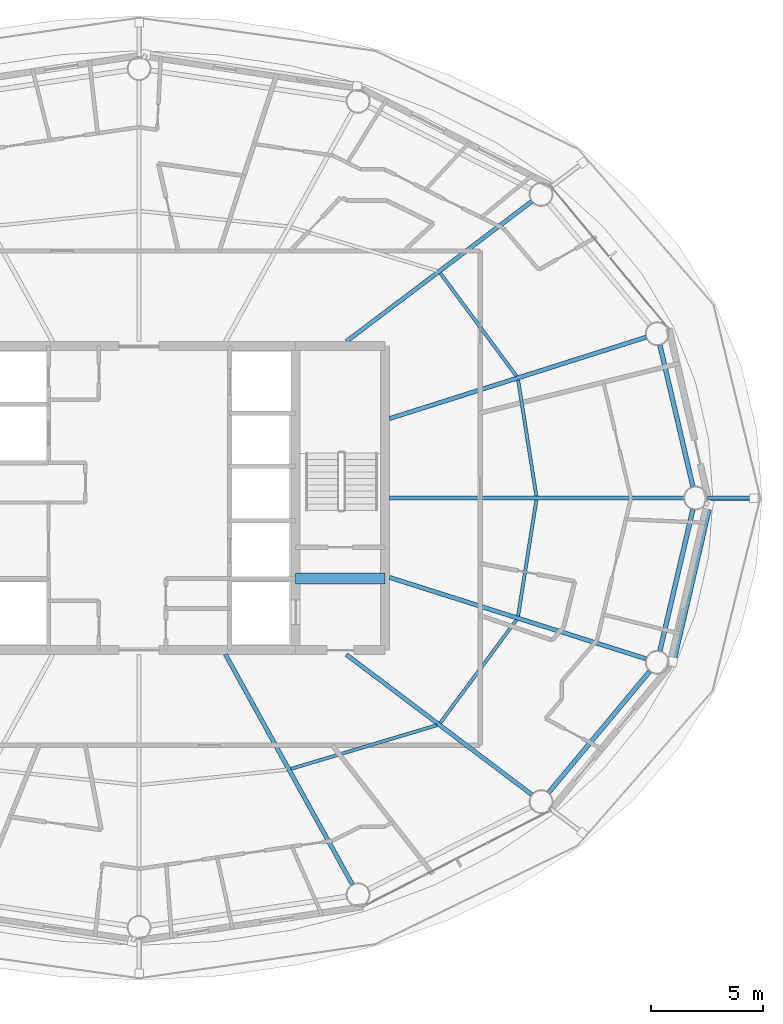
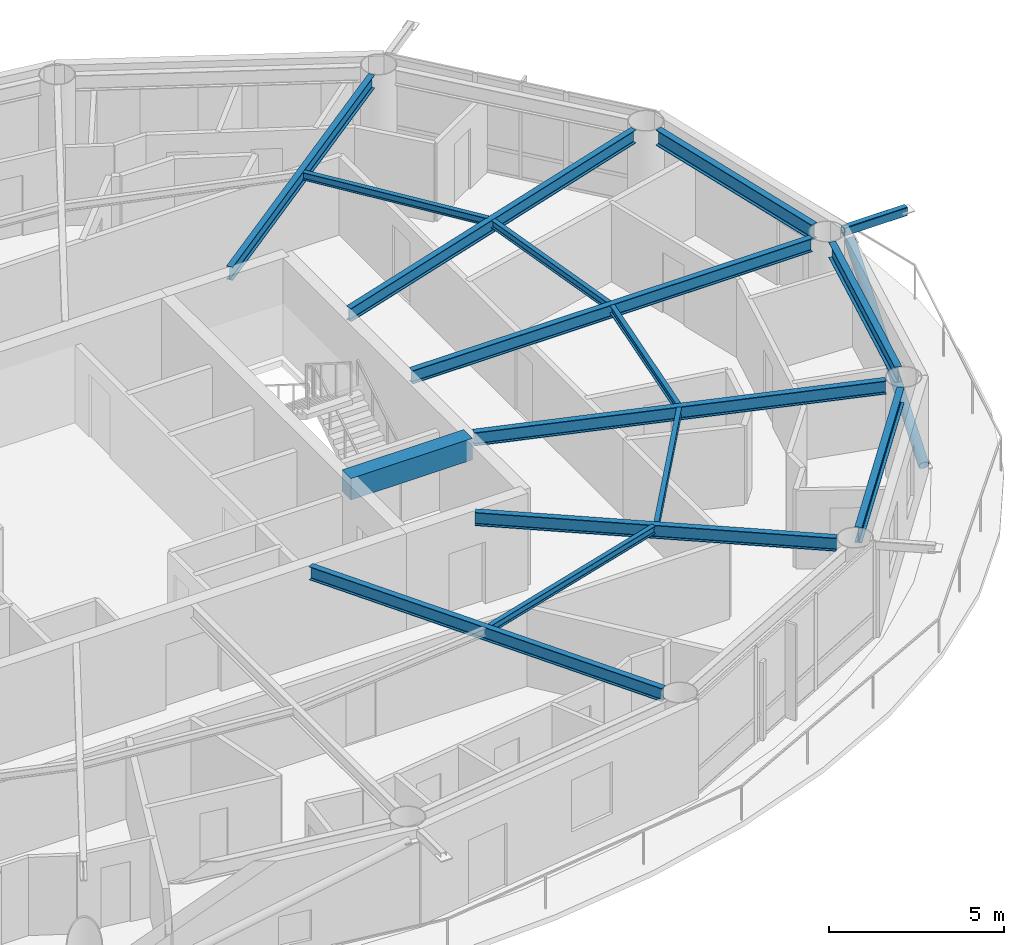
# One storey, part 6 of 23: 15 beams, 2 members.
"""IFC4 building model written with IfcOpenShell, lengths in metres."""

from ifc_helpers import new_model, si_unit, direction, frame, origin, origin_2d, place, context, subcontext, project, spatial, rectangle, hollow_rectangle, hollow_circle, i_section, extrude, material, material_profile, profile_set, type_object, element, save


model = new_model("IFC4")

# Units and contexts
model_context = context("Model", 3, precision=1e-05, world=origin(), true_north=direction((0.0, 1.0)))
body_context = subcontext(model_context, "Body", "Model", "MODEL_VIEW")
ifc_project = project(units=[si_unit("LENGTHUNIT", "METRE"), si_unit("AREAUNIT", "SQUARE_METRE"), si_unit("VOLUMEUNIT", "CUBIC_METRE"), si_unit("PLANEANGLEUNIT", "RADIAN"), si_unit("MASSUNIT", "GRAM", prefix="KILO")], contexts=[model_context])

# Site, building, storey
site_placement = place(None, origin())
site = spatial("IfcSite", under=ifc_project, at=site_placement, CompositionType="ELEMENT")
building_placement = place(site_placement, origin())
building = spatial("IfcBuilding", under=site, at=building_placement, Name="Sarneth Arch Tower", CompositionType="ELEMENT")
storey_placement = place(building_placement, frame((0.0, 0.0, 242.39990234375)))
storey = spatial("IfcBuildingStorey", under=building, at=storey_placement, Name="L62", CompositionType="ELEMENT", Elevation=242.39990234375)

# Beams
ifc_material_1 = material(Name="Steel S355", Category="steel")
ifc_material_profile_1 = material_profile(ifc_material_1, i_section(OverallWidth=0.14794921875, OverallDepth=0.26611328125, WebThickness=0.007568359375, FlangeThickness=0.012939453125, FilletRadius=0.012939453125, at=origin_2d()), Name="W250x44.8")
ifc_profile_set_1 = profile_set([ifc_material_profile_1], Name="Steel S355")
beam_type_1 = type_object("IfcBeamType", Name="BM-JOIST-250", PredefinedType="JOIST", material=ifc_profile_set_1)
beam_1_placement = place(storey_placement, frame((65.76416015625, 42.0947265625, 3.22705078125), z_axis=(-0.155393595615, 0.987852635995, 0.0), x_axis=(-0.987852635995, -0.155393595615, 0.0)))
element("IfcBeam", 1, at=beam_1_placement, inside=storey, type_object=beam_type_1, Name="L62 Secondary floor joist 01", PredefinedType="JOIST", context=body_context, shape_type="SweptSolid", body=[
    extrude(i_section(OverallWidth=0.14794921875, OverallDepth=0.26611328125, WebThickness=0.007568359375, FlangeThickness=0.012939453125, FilletRadius=0.012939453125, at=origin_2d()), origin(), (0.0, 0.0, 1.0), 5.244384765625),
])
beam_2_placement = place(storey_placement, frame((64.877197265625, 47.447509765625, 3.22705078125), z_axis=(-0.594853468946, 0.803834156081, 0.0), x_axis=(-0.803834156081, -0.594853468946, 0.0)))
element("IfcBeam", 2, at=beam_2_placement, inside=storey, type_object=beam_type_1, Name="L62 Secondary floor joist 02", PredefinedType="JOIST", context=body_context, shape_type="SweptSolid", body=[
    extrude(i_section(OverallWidth=0.14794921875, OverallDepth=0.26611328125, WebThickness=0.007568359375, FlangeThickness=0.012939453125, FilletRadius=0.012939453125, at=origin_2d()), origin(), (0.0, 0.0, 1.0), 5.72900390625),
])
beam_3_placement = place(storey_placement, frame((54.79248046875, 29.88818359375, 3.22705078125), z_axis=(0.957984908347, 0.286818610589, 0.0), x_axis=(-0.286818610589, 0.957984908347, 0.0)))
element("IfcBeam", 3, at=beam_3_placement, inside=storey, type_object=beam_type_1, Name="L62 Secondary floor joist 14", PredefinedType="JOIST", context=body_context, shape_type="SweptSolid", body=[
    extrude(i_section(OverallWidth=0.14794921875, OverallDepth=0.26611328125, WebThickness=0.007568359375, FlangeThickness=0.012939453125, FilletRadius=0.012939453125, at=origin_2d()), origin(), (0.0, 0.0, 1.0), 6.81396484375),
])
beam_4_placement = place(storey_placement, frame((61.46923828125, 31.947265625, 3.22705078125), z_axis=(0.594853468946, 0.803834156081, 0.0), x_axis=(-0.803834156081, 0.594853468946, 0.0)))
element("IfcBeam", 4, at=beam_4_placement, inside=storey, type_object=beam_type_1, Name="L62 Secondary floor joist 15", PredefinedType="JOIST", context=body_context, shape_type="SweptSolid", body=[
    extrude(i_section(OverallWidth=0.14794921875, OverallDepth=0.26611328125, WebThickness=0.007568359375, FlangeThickness=0.012939453125, FilletRadius=0.012939453125, at=origin_2d()), origin(), (0.0, 0.0, 1.0), 5.72900390625),
])
beam_5_placement = place(storey_placement, frame((64.94921875, 36.724609375, 3.22705078125), z_axis=(0.155393595615, 0.987852635995, 0.0), x_axis=(-0.987852635995, 0.155393595615, 0.0)))
element("IfcBeam", 5, at=beam_5_placement, inside=storey, type_object=beam_type_1, Name="L62 Secondary floor joist 16", PredefinedType="JOIST", context=body_context, shape_type="SweptSolid", body=[
    extrude(i_section(OverallWidth=0.14794921875, OverallDepth=0.26611328125, WebThickness=0.007568359375, FlangeThickness=0.012939453125, FilletRadius=0.012939453125, at=origin_2d()), origin(), (0.0, 0.0, 1.0), 5.244384765625),
])
ifc_material_2 = material(Name="Concrete C50/60", Category="concrete")
ifc_material_profile_2 = material_profile(ifc_material_2, rectangle(XDim=0.5, YDim=0.75, at=origin_2d()), Name="RC-500x750")
ifc_profile_set_2 = profile_set([ifc_material_profile_2], Name="Concrete C50/60")
beam_type_2 = type_object("IfcBeamType", Name="BM-LINTEL-RC", PredefinedType="LINTEL", material=ifc_profile_set_2)
beam_6_placement = place(storey_placement, frame((55.0, 38.39990234375, 2.985107421875), z_axis=(1.0, 0.0, 0.0), x_axis=(0.0, 1.0, 0.0)))
element("IfcBeam", 6, at=beam_6_placement, inside=storey, type_object=beam_type_2, Name="L62 Core coupling lintel E", PredefinedType="LINTEL", context=body_context, shape_type="SweptSolid", body=[
    extrude(rectangle(XDim=0.5, YDim=0.75, at=origin_2d()), origin(), (0.0, 0.0, 1.0), 4.0),
])
ifc_material_3 = material(Name="Steel S355", Category="steel")
ifc_material_profile_3 = material_profile(ifc_material_3, i_section(OverallWidth=0.19189453125, OverallDepth=0.462890625, WebThickness=0.010498046875, FlangeThickness=0.017578125, FilletRadius=0.01806640625, at=origin_2d()), Name="W460x89")
ifc_profile_set_3 = profile_set([ifc_material_profile_3], Name="Steel S355")
beam_type_3 = type_object("IfcBeamType", Name="BM-RAD-460B", PredefinedType="BEAM", material=ifc_profile_set_3)
beam_7_placement = place(storey_placement, frame((59.199951171875, 42.0, 3.128662109375), z_axis=(1.0, 0.0, 0.0), x_axis=(0.0, 1.0, 0.0)))
element("IfcBeam", 7, at=beam_7_placement, inside=storey, type_object=beam_type_3, Name="L62 Radial floor girder 01", PredefinedType="BEAM", context=body_context, shape_type="SweptSolid", body=[
    extrude(i_section(OverallWidth=0.19189453125, OverallDepth=0.462890625, WebThickness=0.010498046875, FlangeThickness=0.017578125, FilletRadius=0.01806640625, at=origin_2d()), origin(), (0.0, 0.0, 1.0), 13.158203125),
])
beam_8_placement = place(storey_placement, frame((59.199951171875, 45.5517578125, 3.128662109375), z_axis=(0.953216092177, 0.302289731243, 0.0), x_axis=(-0.302289731243, 0.953216092177, 0.0)))
element("IfcBeam", 8, at=beam_8_placement, inside=storey, type_object=beam_type_3, Name="L62 Radial floor girder 02", PredefinedType="BEAM", context=body_context, shape_type="SweptSolid", body=[
    extrude(i_section(OverallWidth=0.19189453125, OverallDepth=0.462890625, WebThickness=0.010498046875, FlangeThickness=0.017578125, FilletRadius=0.01806640625, at=origin_2d()), origin(), (0.0, 0.0, 1.0), 12.031494140625),
])
beam_9_placement = place(storey_placement, frame((57.26806640625, 49.0, 3.128662109375), z_axis=(0.79797308069, 0.60269309146, 0.0), x_axis=(-0.60269309146, 0.79797308069, 0.0)))
element("IfcBeam", 9, at=beam_9_placement, inside=storey, type_object=beam_type_3, Name="L62 Radial floor girder 03", PredefinedType="BEAM", context=body_context, shape_type="SweptSolid", body=[
    extrude(i_section(OverallWidth=0.19189453125, OverallDepth=0.462890625, WebThickness=0.010498046875, FlangeThickness=0.017578125, FilletRadius=0.01806640625, at=origin_2d()), origin(), (0.0, 0.0, 1.0), 10.38671875),
])
beam_10_placement = place(storey_placement, frame((51.86376953125, 35.0, 3.128662109375), z_axis=(0.483225760768, -0.875495781903, 0.0), x_axis=(0.875495781903, 0.483225760768, 0.0)))
element("IfcBeam", 10, at=beam_10_placement, inside=storey, type_object=beam_type_3, Name="L62 Radial floor girder 14", PredefinedType="BEAM", context=body_context, shape_type="SweptSolid", body=[
    extrude(i_section(OverallWidth=0.19189453125, OverallDepth=0.462890625, WebThickness=0.010498046875, FlangeThickness=0.017578125, FilletRadius=0.01806640625, at=origin_2d()), origin(), (0.0, 0.0, 1.0), 11.740478515625),
])
beam_11_placement = place(storey_placement, frame((57.26806640625, 35.0, 3.128662109375), z_axis=(0.79797308069, -0.60269309146, 0.0), x_axis=(0.60269309146, 0.79797308069, 0.0)))
element("IfcBeam", 11, at=beam_11_placement, inside=storey, type_object=beam_type_3, Name="L62 Radial floor girder 15", PredefinedType="BEAM", context=body_context, shape_type="SweptSolid", body=[
    extrude(i_section(OverallWidth=0.19189453125, OverallDepth=0.462890625, WebThickness=0.010498046875, FlangeThickness=0.017578125, FilletRadius=0.01806640625, at=origin_2d()), origin(), (0.0, 0.0, 1.0), 10.38671875),
])
beam_12_placement = place(storey_placement, frame((59.199951171875, 38.4482421875, 3.128662109375), z_axis=(0.953216092177, -0.302289731243, 0.0), x_axis=(0.302289731243, 0.953216092177, 0.0)))
element("IfcBeam", 12, at=beam_12_placement, inside=storey, type_object=beam_type_3, Name="L62 Radial floor girder 16", PredefinedType="BEAM", context=body_context, shape_type="SweptSolid", body=[
    extrude(i_section(OverallWidth=0.19189453125, OverallDepth=0.462890625, WebThickness=0.010498046875, FlangeThickness=0.017578125, FilletRadius=0.01806640625, at=origin_2d()), origin(), (0.0, 0.0, 1.0), 12.031494140625),
])
ifc_material_4 = material(Name="Steel S355", Category="steel")
ifc_material_profile_4 = material_profile(ifc_material_4, i_section(OverallWidth=0.2109375, OverallDepth=0.5390625, WebThickness=0.01171875, FlangeThickness=0.018798828125, FilletRadius=0.01806640625, at=origin_2d()), Name="W530x109")
ifc_profile_set_4 = profile_set([ifc_material_profile_4], Name="Steel S355")
beam_type_4 = type_object("IfcBeamType", Name="BM-RAD-530B", PredefinedType="BEAM", material=ifc_profile_set_4)
beam_13_placement = place(storey_placement, frame((72.763916015625, 42.51123046875, 3.090576171875), z_axis=(-0.227230803906, 0.973840932471, 0.0), x_axis=(-0.973840932471, -0.227230803906, 0.0)))
element("IfcBeam", 13, at=beam_13_placement, inside=storey, type_object=beam_type_4, Name="L62 Perimeter spandrel beam 01", PredefinedType="BEAM", context=body_context, shape_type="SweptSolid", body=[
    extrude(i_section(OverallWidth=0.2109375, OverallDepth=0.5390625, WebThickness=0.01171875, FlangeThickness=0.018798828125, FilletRadius=0.01806640625, at=origin_2d()), origin(), (0.0, 0.0, 1.0), 6.494873046875),
])
beam_14_placement = place(storey_placement, frame((66.3115234375, 28.82666015625, 3.090576171875), z_axis=(0.640364654985, 0.76807103099, 0.0), x_axis=(-0.76807103099, 0.640364654985, 0.0)))
element("IfcBeam", 14, at=beam_14_placement, inside=storey, type_object=beam_type_4, Name="L62 Perimeter spandrel beam 15", PredefinedType="BEAM", context=body_context, shape_type="SweptSolid", body=[
    extrude(i_section(OverallWidth=0.2109375, OverallDepth=0.5390625, WebThickness=0.01171875, FlangeThickness=0.018798828125, FilletRadius=0.01806640625, at=origin_2d()), origin(), (0.0, 0.0, 1.0), 7.06005859375),
])
beam_15_placement = place(storey_placement, frame((71.2880859375, 35.163818359375, 3.090576171875), z_axis=(0.227230803906, 0.973840932471, 0.0), x_axis=(-0.973840932471, 0.227230803906, 0.0)))
element("IfcBeam", 15, at=beam_15_placement, inside=storey, type_object=beam_type_4, Name="L62 Perimeter spandrel beam 16", PredefinedType="BEAM", context=body_context, shape_type="SweptSolid", body=[
    extrude(i_section(OverallWidth=0.2109375, OverallDepth=0.5390625, WebThickness=0.01171875, FlangeThickness=0.018798828125, FilletRadius=0.01806640625, at=origin_2d()), origin(), (0.0, 0.0, 1.0), 6.494873046875),
])

# Members
ifc_material_5 = material(Name="Steel S355", Category="steel")
ifc_material_profile_5 = material_profile(ifc_material_5, hollow_rectangle(XDim=0.199951171875, YDim=0.300048828125, WallThickness=0.012451171875, InnerFilletRadius=0.018798828125, OuterFilletRadius=0.03125, at=origin_2d()), Name="RHS300x200x12.5")
ifc_profile_set_5 = profile_set([ifc_material_profile_5], Name="Steel S355")
member_type_1 = type_object("IfcMemberType", Name="MEM-CANT-STRUT", PredefinedType="STRUT", material=ifc_profile_set_5)
member_1_placement = place(storey_placement, frame((73.408203125, 42.0, 3.2001953125), z_axis=(1.0, 0.0, 0.0), x_axis=(0.0, 1.0, 0.0)))
element("IfcMember", 16, at=member_1_placement, inside=storey, type_object=member_type_1, Name="L62 Balcony cantilever bracket 01", PredefinedType="STRUT", context=body_context, shape_type="SweptSolid", body=[
    extrude(hollow_rectangle(XDim=0.199951171875, YDim=0.300048828125, WallThickness=0.012451171875, InnerFilletRadius=0.018798828125, OuterFilletRadius=0.03125, at=origin_2d()), origin(), (0.0, 0.0, 1.0), 2.07421875),
])
ifc_material_6 = material(Name="Steel S355", Category="steel")
ifc_material_profile_6 = material_profile(ifc_material_6, hollow_circle(Radius=0.162109375, WallThickness=0.012451171875, at=origin_2d()), Name="CHS324x12.5")
ifc_profile_set_6 = profile_set([ifc_material_profile_6], Name="Steel S355")
member_type_2 = type_object("IfcMemberType", Name="MEM-DIAG-BR3", PredefinedType="BRACE", material=ifc_profile_set_6)
member_2_placement = place(storey_placement, frame((71.851806640625, 34.6845703125, 0.02001953125), z_axis=(0.207917989892, 0.898749333617, 0.386030756289), x_axis=(-0.974268900284, 0.225388797281, 0.0)))
element("IfcMember", 17, at=member_2_placement, inside=storey, type_object=member_type_2, Name="L62 Perimeter frame diagonal 16", PredefinedType="BRACE", context=body_context, shape_type="SweptSolid", body=[
    extrude(hollow_circle(Radius=0.162109375, WallThickness=0.012451171875, at=origin_2d()), origin(), (0.0, 0.0, 1.0), 7.814453125),
])

save(model, "model.ifc")
